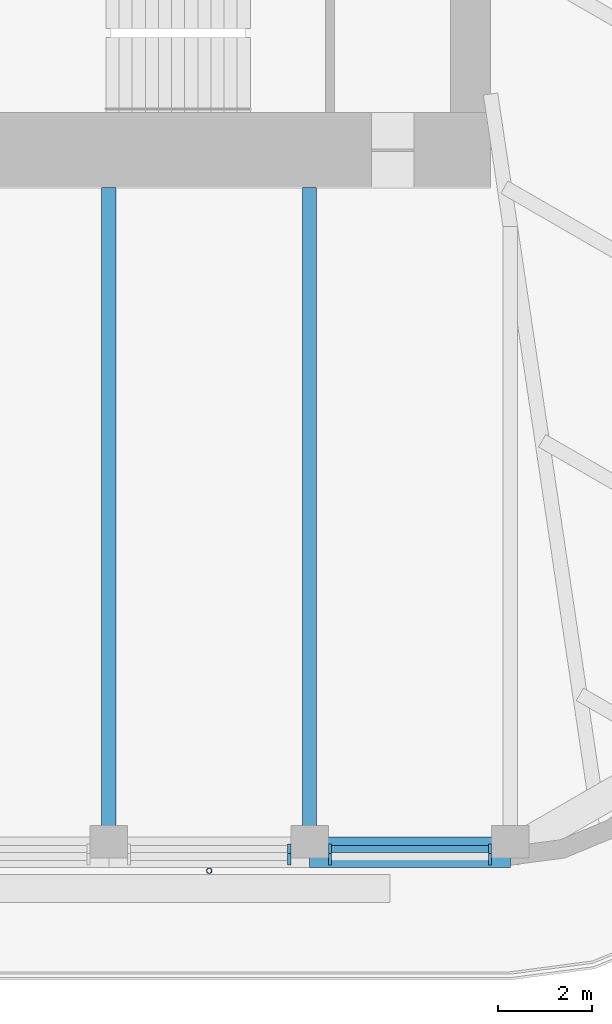
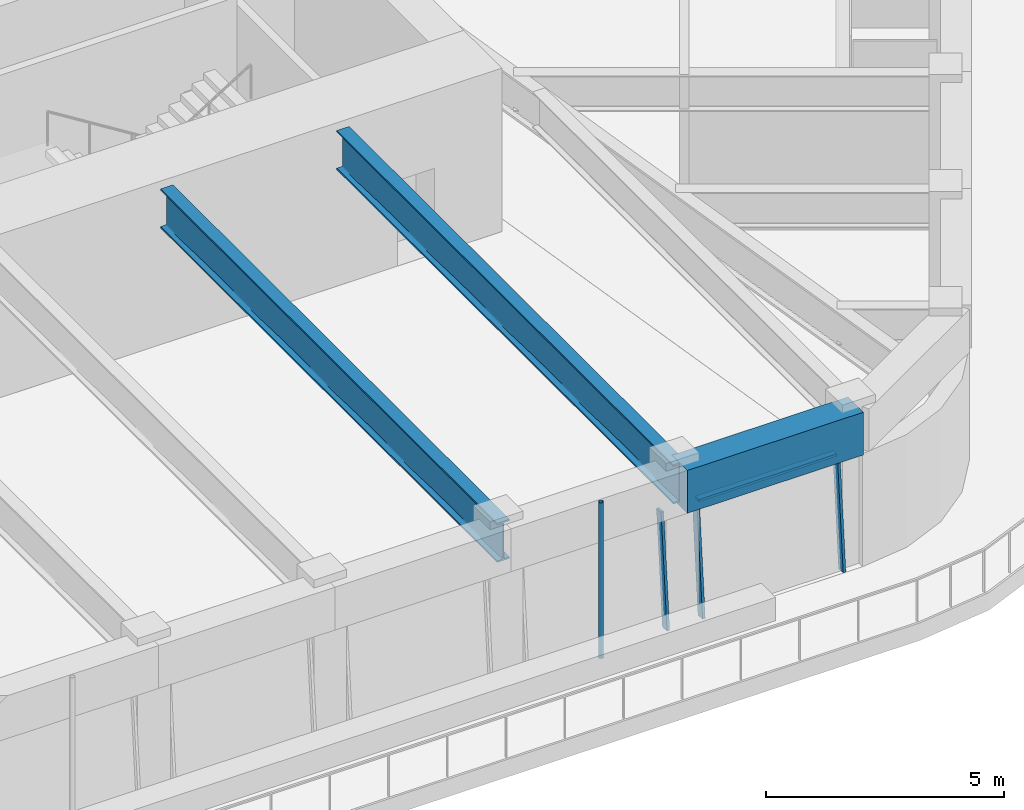
# One storey, part 4 of 19: 5 members, 3 beams, 2 elements without a shape of their own.
"""IFC4 building model written with IfcOpenShell, lengths in metres."""

import ifcopenshell
import ifcopenshell.guid

model = None  # the IFC model being written
_history = None  # IfcOwnerHistory: only IFC2X3 demands one
_inside = {}  # id of a spatial element -> (the spatial element, [elements in it])
_under = {}  # id of a project, library or spatial element -> (it, [spatial elements below it])
_declared = {}  # id of a project -> (the project, [libraries it declares])
_typed = {}  # id of a type object -> (the type object, [elements of that type])
_made_of = {}  # id of a material, layer set ... -> (it, [elements and type objects made of it])


def new_model(schema):
    """Start an empty IFC model of exactly this schema.

    Asked for "IFC4X3", IfcOpenShell would pick the latest addendum, in which some entities
    have other attributes; the version numbers below select the first issue.
    IFC2X3 requires an IfcOwnerHistory on every rooted entity: one is made here for all.
    """
    global model, _history
    if schema == "IFC4X3":
        model = ifcopenshell.file(schema_version=(4, 3, 0, 0))
    else:
        model = ifcopenshell.file(schema=schema)
    _inside.clear()
    _under.clear()
    _declared.clear()
    _typed.clear()
    _made_of.clear()
    _history = None
    if model.schema == "IFC2X3":
        org = make("IfcOrganization", Name="unknown")
        user = make(
            "IfcPersonAndOrganization",
            ThePerson=make("IfcPerson", FamilyName="unknown"),
            TheOrganization=org,
        )
        app = make(
            "IfcApplication",
            ApplicationDeveloper=org,
            Version="unknown",
            ApplicationFullName="unknown",
            ApplicationIdentifier="unknown",
        )
        _history = make(
            "IfcOwnerHistory",
            OwningUser=user,
            OwningApplication=app,
            ChangeAction="ADDED",
            CreationDate=0,
        )
    return model


def make(cls, **values):
    """One entity of the class cls with the attributes given. An attribute that is None is left unset."""
    return model.create_entity(
        cls, **{name: value for name, value in values.items() if value is not None}
    )


def rooted(cls, **values):
    """An entity with a GlobalId (a new one), such as an element, a storey or a relation."""
    return make(cls, GlobalId=ifcopenshell.guid.new(), OwnerHistory=_history, **values)


def si_unit(unit_type, name, prefix=None):
    """IfcSIUnit, for example si_unit("LENGTHUNIT", "METRE", prefix="MILLI")."""
    return make("IfcSIUnit", UnitType=unit_type, Prefix=prefix, Name=name)


def assignment(units):
    """IfcUnitAssignment: the units of a project."""
    return None if units is None else make("IfcUnitAssignment", Units=units)


def point(xyz):
    """IfcCartesianPoint."""
    return None if xyz is None else make("IfcCartesianPoint", Coordinates=xyz)


def direction(xyz):
    """IfcDirection."""
    return None if xyz is None else make("IfcDirection", DirectionRatios=xyz)


def frame(location, z_axis=None, x_axis=None):
    """IfcAxis2Placement3D, a coordinate frame: its origin and axes. An axis left out is left unset."""
    return make(
        "IfcAxis2Placement3D",
        Location=point(location),
        Axis=direction(z_axis),
        RefDirection=direction(x_axis),
    )


def frame_2d(location, x_axis=None):
    """IfcAxis2Placement2D, a coordinate frame in the plane: its origin and x axis."""
    return make(
        "IfcAxis2Placement2D", Location=point(location), RefDirection=direction(x_axis)
    )


def origin():
    """The frame at (0, 0, 0) with its axes left unset."""
    return frame((0.0, 0.0, 0.0))


def origin_2d():
    """The frame at (0, 0) in the plane with its x axis left unset."""
    return frame_2d((0.0, 0.0))


def place(relative_to, where):
    """IfcLocalPlacement: puts the frame where relative to a parent placement (None: the world)."""
    return make(
        "IfcLocalPlacement", PlacementRelTo=relative_to, RelativePlacement=where
    )


def context(
    kind, dimensions, precision=None, world=None, true_north=None, identifier=None
):
    """IfcGeometricRepresentationContext, for example the 3D "Model" context."""
    return make(
        "IfcGeometricRepresentationContext",
        ContextIdentifier=identifier,
        ContextType=kind,
        CoordinateSpaceDimension=dimensions,
        Precision=precision,
        WorldCoordinateSystem=world,
        TrueNorth=true_north,
    )


def subcontext(parent, identifier, kind, view, scale=None):
    """IfcGeometricRepresentationSubContext, for example "Body" below "Model"."""
    return make(
        "IfcGeometricRepresentationSubContext",
        ContextIdentifier=identifier,
        ContextType=kind,
        ParentContext=parent,
        TargetScale=scale,
        TargetView=view,
    )


def project(units=None, contexts=None):
    """IfcProject with its units and contexts."""
    return rooted(
        "IfcProject",
        Name="project",
        RepresentationContexts=contexts,
        UnitsInContext=assignment(units),
    )


def spatial(cls, under=None, at=None, **own):
    """A site, building, storey or space (cls), placed at a placement, below another one or the project."""
    s = rooted(cls, ObjectPlacement=at, **own)
    if under is not None:
        _under.setdefault(under.id(), (under, []))[1].append(s)
    return s


def profile(cls, at=None, kind="AREA", **sizes):
    """A parametric profile (cls). Its sizes go by their IFC names, for example OverallWidth=200.0."""
    return make(cls, ProfileType=kind, Position=at, **sizes)


def rectangle(**sizes):
    """IfcRectangleProfileDef."""
    return profile("IfcRectangleProfileDef", **sizes)


def hollow_circle(**sizes):
    """IfcCircleHollowProfileDef."""
    return profile("IfcCircleHollowProfileDef", **sizes)


def i_section(**sizes):
    """IfcIShapeProfileDef."""
    return profile("IfcIShapeProfileDef", **sizes)


def extrude(swept, where, along, depth):
    """IfcExtrudedAreaSolid: the profile swept, set in the frame where, extruded along a direction by depth."""
    return make(
        "IfcExtrudedAreaSolid",
        SweptArea=swept,
        Position=where,
        ExtrudedDirection=direction(along),
        Depth=depth,
    )


def shape(context_of_items, identifier, shape_type, items):
    """IfcShapeRepresentation: the items that make up one representation, for example the "Body"."""
    return make(
        "IfcShapeRepresentation",
        ContextOfItems=context_of_items,
        RepresentationIdentifier=identifier,
        RepresentationType=shape_type,
        Items=items,
    )


def material(Name=None, Category=None):
    """IfcMaterial."""
    return make("IfcMaterial", Name=Name, Category=Category)


def material_profile(
    of_material, cross_section, Name=None, Category=None, Priority=None
):
    """IfcMaterialProfile: a cross section and its material."""
    return make(
        "IfcMaterialProfile",
        Name=Name,
        Material=of_material,
        Profile=cross_section,
        Priority=Priority,
        Category=Category,
    )


def profile_set(profiles, Name=None, composite=None):
    """IfcMaterialProfileSet."""
    return make(
        "IfcMaterialProfileSet",
        Name=Name,
        MaterialProfiles=profiles,
        CompositeProfile=composite,
    )


def made_of(thing, what):
    """Note that an element or type object is made of a material, layer set ...; save() writes the relation."""
    if what is not None:
        _made_of.setdefault(what.id(), (what, []))[1].append(thing)
    return thing


def type_object(cls, material=None, **own):
    """A type object (cls), such as IfcWallType, which elements share."""
    return made_of(rooted(cls, **own), material)


def element(
    cls,
    number,
    at=None,
    inside=None,
    cuts=None,
    type_object=None,
    material=None,
    context=None,
    identifier="Body",
    shape_type=None,
    held_by="IfcProductDefinitionShape",
    body=None,
    shapes=None,
    **own,
):
    """One element of the class cls, such as IfcWall. Its Tag is "e" and its number.

    at: its placement. inside: the storey or other place that contains it. cuts: it is an
    opening in that element (IfcRelVoidsElement). A single representation is given by context,
    identifier, shape_type and body (its items); several are given by shapes. held_by: the class
    of the entity that holds the representations. save() writes the other relations.
    """
    e = rooted(cls, Tag="e%d" % number, ObjectPlacement=at, **own)
    if body is not None:
        shapes = [shape(context, identifier, shape_type, body)]
    if shapes is not None:
        e.Representation = make(held_by, Representations=shapes)
    if inside is not None:
        _inside.setdefault(inside.id(), (inside, []))[1].append(e)
    if cuts is not None:
        rooted(
            "IfcRelVoidsElement", RelatingBuildingElement=cuts, RelatedOpeningElement=e
        )
    if type_object is not None:
        _typed.setdefault(type_object.id(), (type_object, []))[1].append(e)
    return made_of(e, material)


def aggregate(whole, parts):
    """IfcRelAggregates: a whole, such as a stair, and the parts it consists of."""
    return rooted("IfcRelAggregates", RelatingObject=whole, RelatedObjects=parts)


def save(model, path):
    """Write the relations noted so far, then the file.

    IfcRelAggregates (storeys below a building ...), IfcRelContainedInSpatialStructure (elements
    in a storey), IfcRelDefinesByType, IfcRelAssociatesMaterial and IfcRelDeclares: one each for
    every whole, place, type object, material and project.
    """
    for whole, parts in _under.values():
        aggregate(whole, parts)
    for where, things in _inside.values():
        rooted(
            "IfcRelContainedInSpatialStructure",
            RelatedElements=things,
            RelatingStructure=where,
        )
    for kind, things in _typed.values():
        rooted("IfcRelDefinesByType", RelatedObjects=things, RelatingType=kind)
    for what, things in _made_of.values():
        rooted("IfcRelAssociatesMaterial", RelatedObjects=things, RelatingMaterial=what)
    for by, libraries in _declared.values():
        rooted("IfcRelDeclares", RelatingContext=by, RelatedDefinitions=libraries)
    model.write(path)


model = new_model("IFC4")

# Units and contexts
model_context = context("Model", 3, precision=1e-05, world=origin(), true_north=direction((0.0, 1.0)))
body_context = subcontext(model_context, "Body", "Model", "MODEL_VIEW")
ifc_project = project(units=[si_unit("LENGTHUNIT", "METRE"), si_unit("AREAUNIT", "SQUARE_METRE"), si_unit("VOLUMEUNIT", "CUBIC_METRE"), si_unit("PLANEANGLEUNIT", "RADIAN"), si_unit("MASSUNIT", "GRAM", prefix="KILO")], contexts=[model_context])

# Site, building, storey
site_placement = place(None, origin())
site = spatial("IfcSite", under=ifc_project, at=site_placement, CompositionType="ELEMENT")
building_placement = place(site_placement, origin())
building = spatial("IfcBuilding", under=site, at=building_placement, Name="Tarfa Lantern Tower", CompositionType="ELEMENT")
storey_placement = place(building_placement, frame((0.0, 0.0, 387.10009765625)))
storey = spatial("IfcBuildingStorey", under=building, at=storey_placement, Name="L88", CompositionType="ELEMENT", Elevation=387.10009765625)

# Curtain wall, member
ifc_material_1 = material(Name="Aluminium framed curtain wall", Category="aluminium")
curtain_wall_type = type_object("IfcCurtainWallType", Name="CW4 CANTED GLAZING EXECUTIVE ZONE 2900", PredefinedType="USERDEFINED", material=ifc_material_1)
curtain_wall_1_placement = place(storey_placement, origin())
curtain_wall_1 = element("IfcCurtainWall", 1, at=curtain_wall_1_placement, inside=storey, type_object=curtain_wall_type, Name="CW4 S L88", ObjectType="CURTAIN WALL", PredefinedType="USERDEFINED")
ifc_material_2 = material(Name="Aluminium mullion", Category="aluminium")
ifc_material_profile_1 = material_profile(ifc_material_2, rectangle(XDim=0.06494140625, YDim=0.199951171875, at=origin_2d()), Name="AL MULLION 65x200")
ifc_profile_set_1 = profile_set([ifc_material_profile_1], Name="Aluminium mullion")
member_type_1 = type_object("IfcMemberType", Name="CWM1 MULLION 65x200", PredefinedType="MULLION", material=ifc_profile_set_1)
member_1_placement = place(storey_placement, frame((8.131591796875, -26.64990234375, 0.0), z_axis=(0.0, 0.085891213166, 0.99630452147), x_axis=(-1.0, 0.0, 0.0)))
member_1 = element("IfcMember", 2, at=member_1_placement, type_object=member_type_1, Name="CW4 mullion 2", PredefinedType="MULLION", context=body_context, shape_type="SweptSolid", body=[
    extrude(rectangle(XDim=0.06494140625, YDim=0.199951171875, at=origin_2d()), origin(), (0.0, 0.0, 1.0), 2.91064453125),
])
aggregate(curtain_wall_1, [member_1])

# Curtain wall, members
curtain_wall_2_placement = place(storey_placement, origin())
curtain_wall_2 = element("IfcCurtainWall", 3, at=curtain_wall_2_placement, inside=storey, type_object=curtain_wall_type, Name="CW4 S L88", ObjectType="CURTAIN WALL", PredefinedType="USERDEFINED")
member_2_placement = place(storey_placement, frame((8.99658203125, -26.64990234375, 0.0), z_axis=(0.0, 0.085891213166, 0.99630452147), x_axis=(-1.0, 0.0, 0.0)))
member_2 = element("IfcMember", 4, at=member_2_placement, type_object=member_type_1, Name="CW4 mullion 1", PredefinedType="MULLION", context=body_context, shape_type="SweptSolid", body=[
    extrude(rectangle(XDim=0.06494140625, YDim=0.199951171875, at=origin_2d()), origin(), (0.0, 0.0, 1.0), 2.91064453125),
])
member_3_placement = place(storey_placement, frame((12.41357421875, -26.64990234375, 0.0), z_axis=(0.0, 0.085891213166, 0.99630452147), x_axis=(-1.0, 0.0, 0.0)))
member_3 = element("IfcMember", 5, at=member_3_placement, type_object=member_type_1, Name="CW4 mullion 2", PredefinedType="MULLION", context=body_context, shape_type="SweptSolid", body=[
    extrude(rectangle(XDim=0.06494140625, YDim=0.199951171875, at=origin_2d()), origin(), (0.0, 0.0, 1.0), 2.91064453125),
])
ifc_material_3 = material(Name="Aluminium transom", Category="aluminium")
ifc_material_profile_2 = material_profile(ifc_material_3, rectangle(XDim=0.14990234375, YDim=0.06494140625, at=origin_2d()), Name="AL TRANSOM 150x65")
ifc_profile_set_2 = profile_set([ifc_material_profile_2], Name="Aluminium transom")
member_type_2 = type_object("IfcMemberType", Name="CWT1 TRANSOM 150x65", PredefinedType="USERDEFINED", material=ifc_profile_set_2)
member_4_placement = place(storey_placement, frame((9.029052734375, -26.40283203125, 2.867431640625), z_axis=(1.0, 0.0, 0.0), x_axis=(0.0, 1.0, 0.0)))
member_4 = element("IfcMember", 6, at=member_4_placement, type_object=member_type_2, Name="CW4 transom 1.2", ObjectType="TRANSOM", PredefinedType="USERDEFINED", context=body_context, shape_type="SweptSolid", body=[
    extrude(rectangle(XDim=0.14990234375, YDim=0.06494140625, at=origin_2d()), origin(), (0.0, 0.0, 1.0), 3.35205078125),
])
aggregate(curtain_wall_2, [member_2, member_3, member_4])

# Beam
ifc_material_4 = material(Name="Concrete C80/95", Category="concrete")
ifc_material_profile_3 = material_profile(ifc_material_4, rectangle(XDim=0.64990234375, YDim=1.10009765625, at=origin_2d()), Name="RC 650x1100")
ifc_profile_set_3 = profile_set([ifc_material_profile_3], Name="Concrete C80/95")
beam_type_1 = type_object("IfcBeamType", Name="EB4 RC 650x1100", PredefinedType="SPANDREL", material=ifc_profile_set_3)
beam_placement = place(storey_placement, frame((8.56396484375, -26.469970703125, 3.449951171875), z_axis=(1.0, 0.0, 0.0), x_axis=(0.0, 1.0, 0.0)))
element("IfcBeam", 7, at=beam_placement, inside=storey, type_object=beam_type_1, Name="Edge beam S5", PredefinedType="SPANDREL", context=body_context, shape_type="SweptSolid", body=[
    extrude(rectangle(XDim=0.64990234375, YDim=1.10009765625, at=origin_2d()), origin(), (0.0, 0.0, 1.0), 4.281982421875),
])

# Member
ifc_material_5 = material(Name="Steel S355", Category="steel")
ifc_material_profile_4 = material_profile(ifc_material_5, hollow_circle(Radius=0.05712890625, WallThickness=0.00634765625, at=origin_2d()), Name="CHS114.3x6.3")
ifc_profile_set_4 = profile_set([ifc_material_profile_4], Name="Steel S355")
member_type_3 = type_object("IfcMemberType", Name="TR1 GREEN WALL TRELLIS CHS114.3x6.3", PredefinedType="USERDEFINED", material=ifc_profile_set_4)
member_5_placement = place(storey_placement, frame((6.423095703125, -26.8701171875, 0.0), z_axis=(0.0, 0.0, 1.0), x_axis=(1.0, 0.0, 0.0)))
element("IfcMember", 8, at=member_5_placement, inside=storey, type_object=member_type_3, Name="Trellis post S 2", ObjectType="TRELLIS", PredefinedType="USERDEFINED", context=body_context, shape_type="SweptSolid", body=[
    extrude(hollow_circle(Radius=0.05712890625, WallThickness=0.00634765625, at=origin_2d()), origin(), (0.0, 0.0, 1.0), 4.0),
])

# Beams
ifc_material_6 = material(Name="Steel S460M", Category="steel")
ifc_material_profile_5 = material_profile(ifc_material_6, i_section(OverallWidth=0.302001953125, OverallDepth=1.008056640625, WebThickness=0.02099609375, FlangeThickness=0.0400390625, FilletRadius=0.030029296875, at=origin_2d()), Name="UB1016x305x349")
ifc_profile_set_5 = profile_set([ifc_material_profile_5], Name="Steel S460M")
beam_type_2 = type_object("IfcBeamType", Name="UB1016x305x349", PredefinedType="BEAM", material=ifc_profile_set_5)
for number, where, z_axis, x_axis, name in (
    (9, (4.281982421875, -26.469970703125, 3.495849609375), (0.0, 1.0, 0.0), (-1.0, 0.0, 0.0), "Floor beam S4"),
    (10, (8.56396484375, -26.469970703125, 3.495849609375), (0.0, 1.0, 0.0), (-1.0, 0.0, 0.0), "Floor beam S5"),
):
    element("IfcBeam", number, at=place(storey_placement, frame(where, z_axis=z_axis, x_axis=x_axis)), inside=storey, type_object=beam_type_2, Name=name, PredefinedType="BEAM", context=body_context, shape_type="SweptSolid", body=[
        extrude(i_section(OverallWidth=0.302001953125, OverallDepth=1.008056640625, WebThickness=0.02099609375, FlangeThickness=0.0400390625, FilletRadius=0.030029296875, at=origin_2d()), origin(), (0.0, 0.0, 1.0), 14.169921875),
    ])

save(model, "model.ifc")
